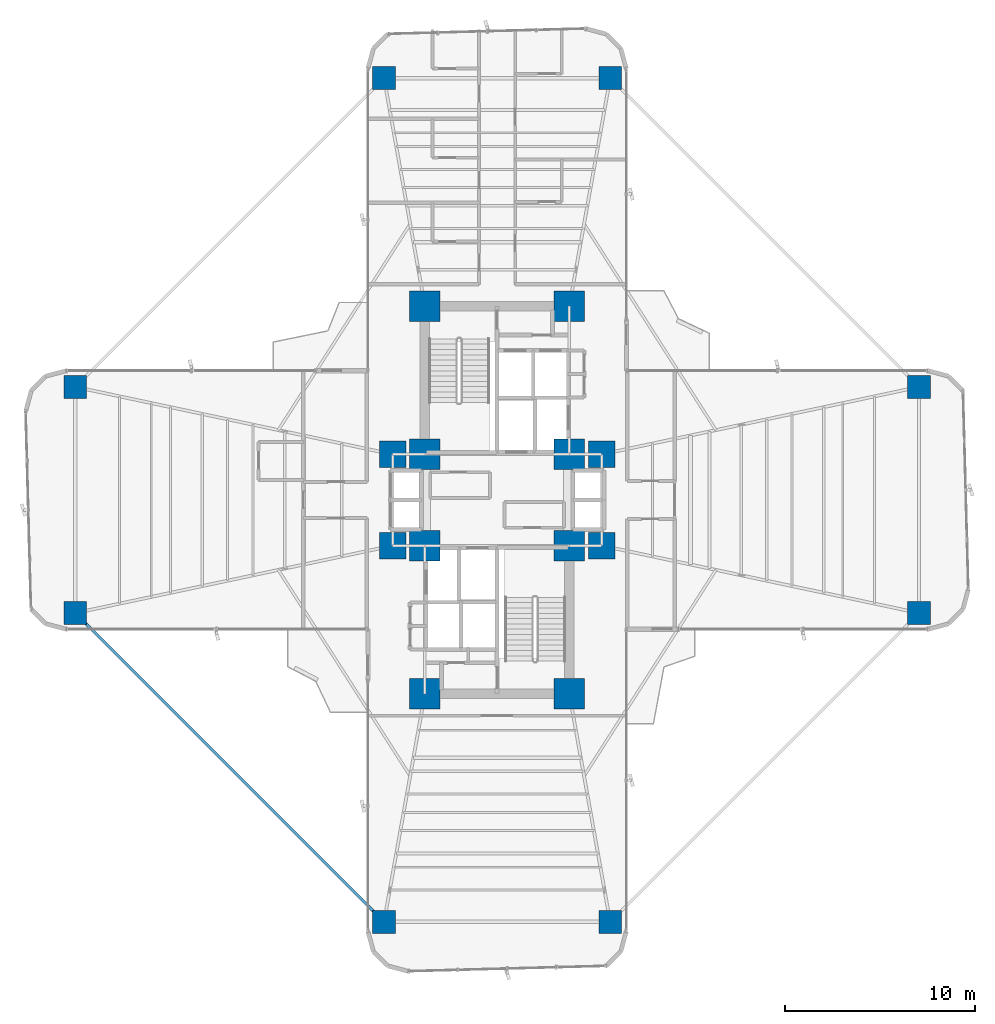
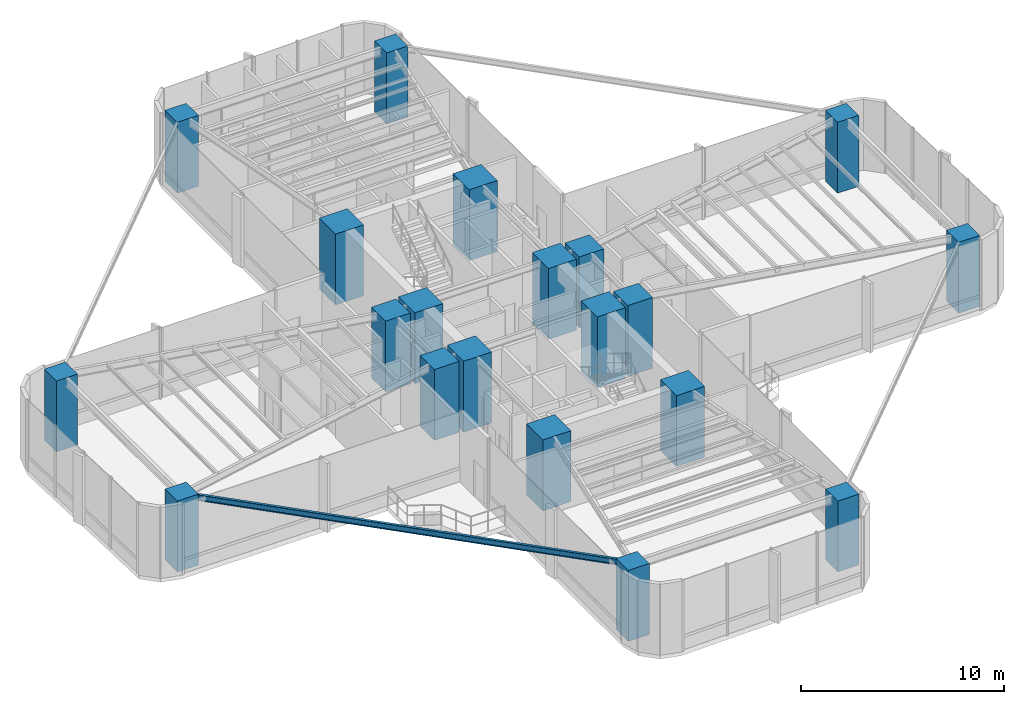
# One storey, part 1 of 20: 20 columns, 1 beam.
"""IFC4 building model written with IfcOpenShell, lengths in metres."""

from ifc_helpers import new_model, si_unit, direction, frame, origin, origin_2d, place, context, subcontext, project, spatial, rectangle, i_section, extrude, source, transform, mapped, material, material_profile, profile_set, type_object, element, save


model = new_model("IFC4")

# Units and contexts
model_context = context("Model", 3, precision=1e-05, world=origin(), true_north=direction((0.0, 1.0)))
body_context = subcontext(model_context, "Body", "Model", "MODEL_VIEW")
ifc_project = project(units=[si_unit("LENGTHUNIT", "METRE"), si_unit("AREAUNIT", "SQUARE_METRE"), si_unit("VOLUMEUNIT", "CUBIC_METRE"), si_unit("PLANEANGLEUNIT", "RADIAN"), si_unit("MASSUNIT", "GRAM", prefix="KILO")], contexts=[model_context])

# Site, building, storey
site_placement = place(None, origin())
site = spatial("IfcSite", under=ifc_project, at=site_placement, CompositionType="ELEMENT")
building_placement = place(site_placement, origin())
building = spatial("IfcBuilding", under=site, at=building_placement, Name="Sahyath Konkavel Grand Hotel", CompositionType="ELEMENT")
storey_placement = place(building_placement, frame((0.0, 0.0, 46.550048828125)))
storey = spatial("IfcBuildingStorey", under=building, at=storey_placement, Name="L12", CompositionType="ELEMENT", Elevation=46.550048828125)

# Columns
ifc_material_1 = material(Name="Concrete C70/85", Category="concrete")
ifc_material_profile_1 = material_profile(ifc_material_1, rectangle(XDim=1.60009765625, YDim=1.60009765625, at=origin_2d()), Name="RC 1600x1600")
ifc_profile_set_1 = profile_set([ifc_material_profile_1], Name="Concrete C70/85")
column_type_1 = type_object("IfcColumnType", Name="COL-RC1600", PredefinedType="COLUMN", material=ifc_profile_set_1)
shared_shape_1 = source(origin(), body_context, "Body", "SweptSolid", [
    extrude(rectangle(XDim=1.60009765625, YDim=1.60009765625, at=origin_2d()), origin(), (0.0, 0.0, 1.0), 4.260009765625),
])
for number, where, z_axis, x_axis, name in (
    (1, (-3.800048828125, 2.39990234375, 0.0), (0.0, 0.0, 1.0), (1.0, 0.0, 0.0), "L12 Core Boundary Column NC-SW"),
    (2, (3.800048828125, 2.39990234375, 0.0), (0.0, 0.0, 1.0), (1.0, 0.0, 0.0), "L12 Core Boundary Column NC-SE"),
    (3, (-3.800048828125, 10.199951171875, 0.0), (0.0, 0.0, 1.0), (1.0, 0.0, 0.0), "L12 Core Boundary Column NC-NW"),
    (4, (3.800048828125, 10.199951171875, 0.0), (0.0, 0.0, 1.0), (1.0, 0.0, 0.0), "L12 Core Boundary Column NC-NE"),
    (5, (-3.800048828125, -2.39990234375, 0.0), (0.0, 0.0, 1.0), (1.0, 0.0, 0.0), "L12 Core Boundary Column SC-NW"),
    (6, (3.800048828125, -2.39990234375, 0.0), (0.0, 0.0, 1.0), (1.0, 0.0, 0.0), "L12 Core Boundary Column SC-NE"),
    (7, (-3.800048828125, -10.199951171875, 0.0), (0.0, 0.0, 1.0), (1.0, 0.0, 0.0), "L12 Core Boundary Column SC-SW"),
    (8, (3.800048828125, -10.199951171875, 0.0), (0.0, 0.0, 1.0), (1.0, 0.0, 0.0), "L12 Core Boundary Column SC-SE"),
):
    element("IfcColumn", number, at=place(storey_placement, frame(where, z_axis=z_axis, x_axis=x_axis)), inside=storey, type_object=column_type_1, Name=name, PredefinedType="COLUMN", context=body_context, shape_type="MappedRepresentation", body=[
        mapped(shared_shape_1, transform((0.0, 0.0, 0.0), scale=1.0)),
    ])
ifc_material_profile_2 = material_profile(ifc_material_1, rectangle(XDim=1.39990234375, YDim=1.39990234375, at=origin_2d()), Name="RC 1400x1400")
ifc_profile_set_2 = profile_set([ifc_material_profile_2], Name="Concrete C70/85")
column_type_2 = type_object("IfcColumnType", Name="COL-RC1400", PredefinedType="COLUMN", material=ifc_profile_set_2)
shared_shape_2 = source(origin(), body_context, "Body", "SweptSolid", [
    extrude(rectangle(XDim=1.39990234375, YDim=1.39990234375, at=origin_2d()), origin(), (0.0, 0.0, 1.0), 4.260009765625),
])
for number, where, z_axis, x_axis, name in (
    (9, (5.5, 2.39990234375, 0.0), (0.0, 0.0, 1.0), (1.0, 0.0, 0.0), "L12 Central Spine Column HB-NE"),
    (10, (-5.5, 2.39990234375, 0.0), (0.0, 0.0, 1.0), (1.0, 0.0, 0.0), "L12 Central Spine Column HB-NW"),
    (11, (5.5, -2.39990234375, 0.0), (0.0, 0.0, 1.0), (1.0, 0.0, 0.0), "L12 Central Spine Column HB-SE"),
    (12, (-5.5, -2.39990234375, 0.0), (0.0, 0.0, 1.0), (1.0, 0.0, 0.0), "L12 Central Spine Column HB-SW"),
):
    element("IfcColumn", number, at=place(storey_placement, frame(where, z_axis=z_axis, x_axis=x_axis)), inside=storey, type_object=column_type_2, Name=name, PredefinedType="COLUMN", context=body_context, shape_type="MappedRepresentation", body=[
        mapped(shared_shape_2, transform((0.0, 0.0, 0.0), scale=1.0)),
    ])
ifc_material_2 = material(Name="Concrete C50/60", Category="concrete")
ifc_material_profile_3 = material_profile(ifc_material_2, rectangle(XDim=1.199951171875, YDim=1.199951171875, at=origin_2d()), Name="RC 1200x1200")
ifc_profile_set_3 = profile_set([ifc_material_profile_3], Name="Concrete C50/60")
column_type_3 = type_object("IfcColumnType", Name="COL-RC1200", PredefinedType="COLUMN", material=ifc_profile_set_3)
shared_shape_3 = source(origin(), body_context, "Body", "SweptSolid", [
    extrude(rectangle(XDim=1.199951171875, YDim=1.199951171875, at=origin_2d()), origin(), (0.0, 0.0, 1.0), 4.260009765625),
])
for number, where, z_axis, x_axis, name in (
    (13, (22.199951171875, -5.949951171875, 0.0), (0.0, 0.0, 1.0), (1.0, 0.0, 0.0), "L12 Cruciform Wing Column WC-EA"),
    (14, (22.199951171875, 5.949951171875, 0.0), (0.0, 0.0, 1.0), (1.0, 0.0, 0.0), "L12 Cruciform Wing Column WC-EB"),
    (15, (5.949951171875, 22.199951171875, 0.0), (0.0, 0.0, 1.0), (1.0, 0.0, 0.0), "L12 Cruciform Wing Column WC-NA"),
    (16, (-5.949951171875, 22.199951171875, 0.0), (0.0, 0.0, 1.0), (1.0, 0.0, 0.0), "L12 Cruciform Wing Column WC-NB"),
    (17, (-22.199951171875, 5.949951171875, 0.0), (0.0, 0.0, 1.0), (1.0, 0.0, 0.0), "L12 Cruciform Wing Column WC-WA"),
    (18, (-22.199951171875, -5.949951171875, 0.0), (0.0, 0.0, 1.0), (1.0, 0.0, 0.0), "L12 Cruciform Wing Column WC-WB"),
    (19, (-5.949951171875, -22.199951171875, 0.0), (0.0, 0.0, 1.0), (1.0, 0.0, 0.0), "L12 Cruciform Wing Column WC-SA"),
    (20, (5.949951171875, -22.199951171875, 0.0), (0.0, 0.0, 1.0), (1.0, 0.0, 0.0), "L12 Cruciform Wing Column WC-SB"),
):
    element("IfcColumn", number, at=place(storey_placement, frame(where, z_axis=z_axis, x_axis=x_axis)), inside=storey, type_object=column_type_3, Name=name, PredefinedType="COLUMN", context=body_context, shape_type="MappedRepresentation", body=[
        mapped(shared_shape_3, transform((0.0, 0.0, 0.0), scale=1.0)),
    ])

# Beam
ifc_material_3 = material(Name="Steel E350", Category="steel")
ifc_material_profile_4 = material_profile(ifc_material_3, i_section(OverallWidth=0.139892578125, OverallDepth=0.35009765625, WebThickness=0.008056640625, FlangeThickness=0.01416015625, FilletRadius=0.013916015625, at=origin_2d()), Name="ISMB 350")
ifc_profile_set_4 = profile_set([ifc_material_profile_4], Name="Steel E350")
beam_type = type_object("IfcBeamType", Name="BM-ISMB350", PredefinedType="BEAM", material=ifc_profile_set_4)
shared_shape_4 = source(origin(), body_context, "Body", "SweptSolid", [
    extrude(i_section(OverallWidth=0.139892578125, OverallDepth=0.35009765625, WebThickness=0.008056640625, FlangeThickness=0.01416015625, FilletRadius=0.013916015625, at=origin_2d()), origin(), (0.0, 0.0, 1.0), 22.98095703125),
])
beam_placement = place(storey_placement, frame((-22.199951171875, -5.949951171875, 4.0849609375), z_axis=(0.707106781187, -0.707106781187, 0.0), x_axis=(0.707106781187, 0.707106781187, 0.0)))
element("IfcBeam", 21, at=beam_placement, inside=storey, type_object=beam_type, Name="L12 Re-Entrant Tie Beam SW", PredefinedType="BEAM", context=body_context, shape_type="MappedRepresentation", body=[
    mapped(shared_shape_4, transform((0.0, 0.0, 0.0), scale=1.0)),
])

save(model, "model.ifc")
